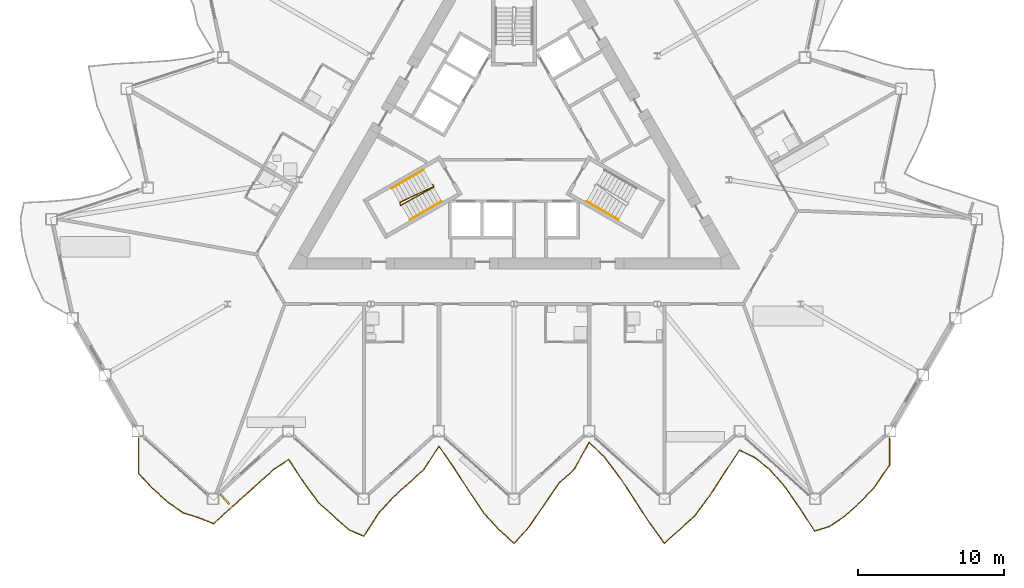
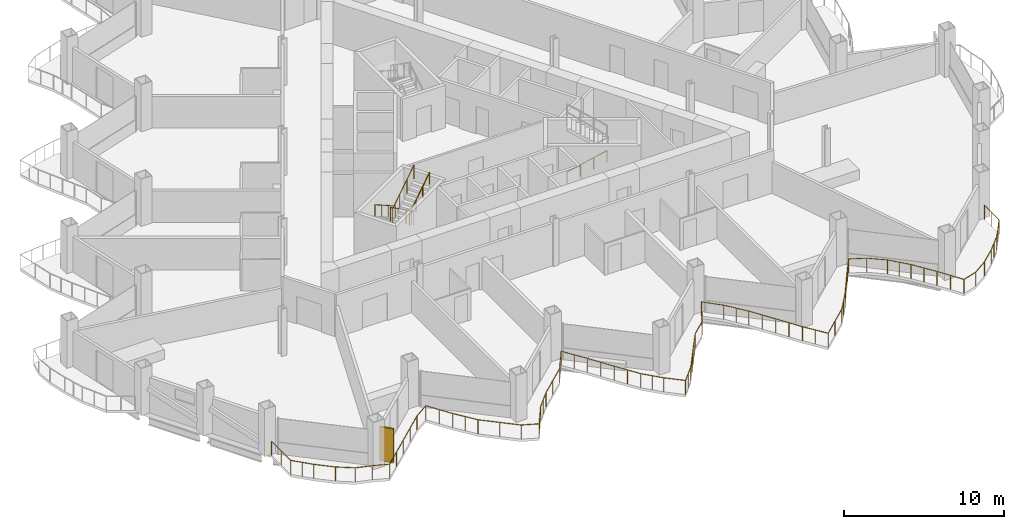
# One storey, part 19 of 23: 5 railings, 1 shading device.
"""IFC4 building model written with IfcOpenShell, lengths in metres."""

import ifcopenshell
import ifcopenshell.guid

model = None  # the IFC model being written
_history = None  # IfcOwnerHistory: only IFC2X3 demands one
_inside = {}  # id of a spatial element -> (the spatial element, [elements in it])
_under = {}  # id of a project, library or spatial element -> (it, [spatial elements below it])
_declared = {}  # id of a project -> (the project, [libraries it declares])
_typed = {}  # id of a type object -> (the type object, [elements of that type])
_made_of = {}  # id of a material, layer set ... -> (it, [elements and type objects made of it])


def new_model(schema):
    """Start an empty IFC model of exactly this schema.

    Asked for "IFC4X3", IfcOpenShell would pick the latest addendum, in which some entities
    have other attributes; the version numbers below select the first issue.
    IFC2X3 requires an IfcOwnerHistory on every rooted entity: one is made here for all.
    """
    global model, _history
    if schema == "IFC4X3":
        model = ifcopenshell.file(schema_version=(4, 3, 0, 0))
    else:
        model = ifcopenshell.file(schema=schema)
    _inside.clear()
    _under.clear()
    _declared.clear()
    _typed.clear()
    _made_of.clear()
    _history = None
    if model.schema == "IFC2X3":
        org = make("IfcOrganization", Name="unknown")
        user = make(
            "IfcPersonAndOrganization",
            ThePerson=make("IfcPerson", FamilyName="unknown"),
            TheOrganization=org,
        )
        app = make(
            "IfcApplication",
            ApplicationDeveloper=org,
            Version="unknown",
            ApplicationFullName="unknown",
            ApplicationIdentifier="unknown",
        )
        _history = make(
            "IfcOwnerHistory",
            OwningUser=user,
            OwningApplication=app,
            ChangeAction="ADDED",
            CreationDate=0,
        )
    return model


def make(cls, **values):
    """One entity of the class cls with the attributes given. An attribute that is None is left unset."""
    return model.create_entity(
        cls, **{name: value for name, value in values.items() if value is not None}
    )


def rooted(cls, **values):
    """An entity with a GlobalId (a new one), such as an element, a storey or a relation."""
    return make(cls, GlobalId=ifcopenshell.guid.new(), OwnerHistory=_history, **values)


def si_unit(unit_type, name, prefix=None):
    """IfcSIUnit, for example si_unit("LENGTHUNIT", "METRE", prefix="MILLI")."""
    return make("IfcSIUnit", UnitType=unit_type, Prefix=prefix, Name=name)


def assignment(units):
    """IfcUnitAssignment: the units of a project."""
    return None if units is None else make("IfcUnitAssignment", Units=units)


def point(xyz):
    """IfcCartesianPoint."""
    return None if xyz is None else make("IfcCartesianPoint", Coordinates=xyz)


def direction(xyz):
    """IfcDirection."""
    return None if xyz is None else make("IfcDirection", DirectionRatios=xyz)


def frame(location, z_axis=None, x_axis=None):
    """IfcAxis2Placement3D, a coordinate frame: its origin and axes. An axis left out is left unset."""
    return make(
        "IfcAxis2Placement3D",
        Location=point(location),
        Axis=direction(z_axis),
        RefDirection=direction(x_axis),
    )


def frame_2d(location, x_axis=None):
    """IfcAxis2Placement2D, a coordinate frame in the plane: its origin and x axis."""
    return make(
        "IfcAxis2Placement2D", Location=point(location), RefDirection=direction(x_axis)
    )


def origin():
    """The frame at (0, 0, 0) with its axes left unset."""
    return frame((0.0, 0.0, 0.0))


def origin_2d():
    """The frame at (0, 0) in the plane with its x axis left unset."""
    return frame_2d((0.0, 0.0))


def place(relative_to, where):
    """IfcLocalPlacement: puts the frame where relative to a parent placement (None: the world)."""
    return make(
        "IfcLocalPlacement", PlacementRelTo=relative_to, RelativePlacement=where
    )


def context(
    kind, dimensions, precision=None, world=None, true_north=None, identifier=None
):
    """IfcGeometricRepresentationContext, for example the 3D "Model" context."""
    return make(
        "IfcGeometricRepresentationContext",
        ContextIdentifier=identifier,
        ContextType=kind,
        CoordinateSpaceDimension=dimensions,
        Precision=precision,
        WorldCoordinateSystem=world,
        TrueNorth=true_north,
    )


def subcontext(parent, identifier, kind, view, scale=None):
    """IfcGeometricRepresentationSubContext, for example "Body" below "Model"."""
    return make(
        "IfcGeometricRepresentationSubContext",
        ContextIdentifier=identifier,
        ContextType=kind,
        ParentContext=parent,
        TargetScale=scale,
        TargetView=view,
    )


def project(units=None, contexts=None):
    """IfcProject with its units and contexts."""
    return rooted(
        "IfcProject",
        Name="project",
        RepresentationContexts=contexts,
        UnitsInContext=assignment(units),
    )


def spatial(cls, under=None, at=None, **own):
    """A site, building, storey or space (cls), placed at a placement, below another one or the project."""
    s = rooted(cls, ObjectPlacement=at, **own)
    if under is not None:
        _under.setdefault(under.id(), (under, []))[1].append(s)
    return s


def profile(cls, at=None, kind="AREA", **sizes):
    """A parametric profile (cls). Its sizes go by their IFC names, for example OverallWidth=200.0."""
    return make(cls, ProfileType=kind, Position=at, **sizes)


def rectangle(**sizes):
    """IfcRectangleProfileDef."""
    return profile("IfcRectangleProfileDef", **sizes)


def circle(**sizes):
    """IfcCircleProfileDef."""
    return profile("IfcCircleProfileDef", **sizes)


def extrude(swept, where, along, depth):
    """IfcExtrudedAreaSolid: the profile swept, set in the frame where, extruded along a direction by depth."""
    return make(
        "IfcExtrudedAreaSolid",
        SweptArea=swept,
        Position=where,
        ExtrudedDirection=direction(along),
        Depth=depth,
    )


def shape(context_of_items, identifier, shape_type, items):
    """IfcShapeRepresentation: the items that make up one representation, for example the "Body"."""
    return make(
        "IfcShapeRepresentation",
        ContextOfItems=context_of_items,
        RepresentationIdentifier=identifier,
        RepresentationType=shape_type,
        Items=items,
    )


def material(Name=None, Category=None):
    """IfcMaterial."""
    return make("IfcMaterial", Name=Name, Category=Category)


def layer(
    of_material, thickness, ventilated=None, Name=None, Category=None, Priority=None
):
    """IfcMaterialLayer: one layer of a wall or slab, of a material (None: an air gap)."""
    return make(
        "IfcMaterialLayer",
        Material=of_material,
        LayerThickness=thickness,
        IsVentilated=ventilated,
        Name=Name,
        Category=Category,
        Priority=Priority,
    )


def layer_set(layers, Name=None):
    """IfcMaterialLayerSet."""
    return make("IfcMaterialLayerSet", MaterialLayers=layers, LayerSetName=Name)


def made_of(thing, what):
    """Note that an element or type object is made of a material, layer set ...; save() writes the relation."""
    if what is not None:
        _made_of.setdefault(what.id(), (what, []))[1].append(thing)
    return thing


def type_object(cls, material=None, **own):
    """A type object (cls), such as IfcWallType, which elements share."""
    return made_of(rooted(cls, **own), material)


def element(
    cls,
    number,
    at=None,
    inside=None,
    cuts=None,
    type_object=None,
    material=None,
    context=None,
    identifier="Body",
    shape_type=None,
    held_by="IfcProductDefinitionShape",
    body=None,
    shapes=None,
    **own,
):
    """One element of the class cls, such as IfcWall. Its Tag is "e" and its number.

    at: its placement. inside: the storey or other place that contains it. cuts: it is an
    opening in that element (IfcRelVoidsElement). A single representation is given by context,
    identifier, shape_type and body (its items); several are given by shapes. held_by: the class
    of the entity that holds the representations. save() writes the other relations.
    """
    e = rooted(cls, Tag="e%d" % number, ObjectPlacement=at, **own)
    if body is not None:
        shapes = [shape(context, identifier, shape_type, body)]
    if shapes is not None:
        e.Representation = make(held_by, Representations=shapes)
    if inside is not None:
        _inside.setdefault(inside.id(), (inside, []))[1].append(e)
    if cuts is not None:
        rooted(
            "IfcRelVoidsElement", RelatingBuildingElement=cuts, RelatedOpeningElement=e
        )
    if type_object is not None:
        _typed.setdefault(type_object.id(), (type_object, []))[1].append(e)
    return made_of(e, material)


def aggregate(whole, parts):
    """IfcRelAggregates: a whole, such as a stair, and the parts it consists of."""
    return rooted("IfcRelAggregates", RelatingObject=whole, RelatedObjects=parts)


def save(model, path):
    """Write the relations noted so far, then the file.

    IfcRelAggregates (storeys below a building ...), IfcRelContainedInSpatialStructure (elements
    in a storey), IfcRelDefinesByType, IfcRelAssociatesMaterial and IfcRelDeclares: one each for
    every whole, place, type object, material and project.
    """
    for whole, parts in _under.values():
        aggregate(whole, parts)
    for where, things in _inside.values():
        rooted(
            "IfcRelContainedInSpatialStructure",
            RelatedElements=things,
            RelatingStructure=where,
        )
    for kind, things in _typed.values():
        rooted("IfcRelDefinesByType", RelatedObjects=things, RelatingType=kind)
    for what, things in _made_of.values():
        rooted("IfcRelAssociatesMaterial", RelatedObjects=things, RelatingMaterial=what)
    for by, libraries in _declared.values():
        rooted("IfcRelDeclares", RelatingContext=by, RelatedDefinitions=libraries)
    model.write(path)


model = new_model("IFC4")

# Units and contexts
model_context = context("Model", 3, precision=1e-05, world=origin(), true_north=direction((0.0, 1.0)))
body_context = subcontext(model_context, "Body", "Model", "MODEL_VIEW")
ifc_project = project(units=[si_unit("LENGTHUNIT", "METRE"), si_unit("AREAUNIT", "SQUARE_METRE"), si_unit("VOLUMEUNIT", "CUBIC_METRE"), si_unit("PLANEANGLEUNIT", "RADIAN"), si_unit("MASSUNIT", "GRAM", prefix="KILO")], contexts=[model_context])

# Site, building, storey
site_placement = place(None, origin())
site = spatial("IfcSite", under=ifc_project, at=site_placement, CompositionType="ELEMENT")
building_placement = place(site_placement, origin())
building = spatial("IfcBuilding", under=site, at=building_placement, Name="Cormorant Prow Tower", CompositionType="ELEMENT")
storey_placement = place(building_placement, frame((0.0, 0.0, 212.39990234375)))
storey = spatial("IfcBuildingStorey", under=building, at=storey_placement, Name="L47", CompositionType="ELEMENT", Elevation=212.39990234375)

# Railings
ifc_material_1 = material(Name="Aluminium 6063-T6", Category="aluminium")
railing_type_1 = type_object("IfcRailingType", Name="Balcony guard 1100", PredefinedType="GUARDRAIL", material=ifc_material_1)
railing_1_placement = place(storey_placement, frame((-25.7783203125, -20.56494140625, 0.0)))
element("IfcRailing", 1, at=railing_1_placement, inside=storey, type_object=railing_type_1, Name="Balcony guard S", PredefinedType="GUARDRAIL", context=body_context, shape_type="SweptSolid", body=[
    extrude(circle(Radius=0.02392578125, at=origin_2d()), frame((0.0, 0.0, 1.076171875), z_axis=(0.0, -1.0, 0.0), x_axis=(1.0, 0.0, 0.0)), (0.0, 0.0, 1.0), 2.40380859375),
    extrude(circle(Radius=0.02392578125, at=origin_2d()), frame((0.0, -2.40380859375, 1.076171875), z_axis=(0.685769725177, -0.727818579064, 0.0), x_axis=(0.727818579064, 0.685769725177, 0.0)), (0.0, 0.0, 1.0), 1.50390625),
    extrude(circle(Radius=0.02392578125, at=origin_2d()), frame((1.03125, -3.498291015625, 1.076171875), z_axis=(0.74317165604, -0.669100806799, 0.0), x_axis=(0.669100806799, 0.74317165604, 0.0)), (0.0, 0.0, 1.0), 1.3876953125),
    extrude(circle(Radius=0.02392578125, at=origin_2d()), frame((2.0625, -4.4267578125, 1.076171875), z_axis=(0.825800981874, -0.563961646158, 0.0), x_axis=(0.563961646158, 0.825800981874, 0.0)), (0.0, 0.0, 1.0), 1.24853515625),
    extrude(circle(Radius=0.02392578125, at=origin_2d()), frame((3.093505859375, -5.130859375, 1.076171875), z_axis=(0.954395491604, -0.298545215347, 0.0), x_axis=(0.298545215347, 0.954395491604, 0.0)), (0.0, 0.0, 1.0), 1.080322265625),
    extrude(circle(Radius=0.02392578125, at=origin_2d()), frame((4.12451171875, -5.453369140625, 1.076171875), z_axis=(0.929655900178, -0.368428971804, 0.0), x_axis=(0.368428971804, 0.929655900178, 0.0)), (0.0, 0.0, 1.0), 1.109375),
    extrude(circle(Radius=0.02392578125, at=origin_2d()), frame((5.15576171875, -5.862060546875, 1.076171875), z_axis=(0.74317165604, 0.669100806799, 0.0), x_axis=(-0.669100806799, 0.74317165604, 0.0)), (0.0, 0.0, 1.0), 1.3876953125),
    extrude(circle(Radius=0.02392578125, at=origin_2d()), frame((6.18701171875, -4.93359375, 1.076171875), z_axis=(0.743180377895, 0.669091119289, 0.0), x_axis=(-0.669091119289, 0.743180377895, 0.0)), (0.0, 0.0, 1.0), 1.38720703125),
    extrude(circle(Radius=0.02392578125, at=origin_2d()), frame((7.218017578125, -4.00537109375, 1.076171875), z_axis=(0.743092872858, 0.669188301084, 0.0), x_axis=(-0.669188301084, 0.743092872858, 0.0)), (0.0, 0.0, 1.0), 1.387451171875),
    extrude(circle(Radius=0.02392578125, at=origin_2d()), frame((8.2490234375, -3.076904296875, 1.076171875), z_axis=(0.74317165604, 0.669100806799, 0.0), x_axis=(-0.669100806799, 0.74317165604, 0.0)), (0.0, 0.0, 1.0), 1.3876953125),
    extrude(circle(Radius=0.02392578125, at=origin_2d()), frame((9.2802734375, -2.1484375, 1.076171875), z_axis=(0.831231964357, 0.555925733738, 0.0), x_axis=(-0.555925733738, 0.831231964357, 0.0)), (0.0, 0.0, 1.0), 1.24072265625),
    extrude(circle(Radius=0.02392578125, at=origin_2d()), frame((10.3115234375, -1.458740234375, 1.076171875), z_axis=(0.545396842067, -0.838177955248, 0.0), x_axis=(0.838177955248, 0.545396842067, 0.0)), (0.0, 0.0, 1.0), 1.890380859375),
    extrude(circle(Radius=0.02392578125, at=origin_2d()), frame((11.342529296875, -3.043212890625, 1.076171875), z_axis=(0.597620452194, -0.801779143604, 0.0), x_axis=(0.801779143604, 0.597620452194, 0.0)), (0.0, 0.0, 1.0), 1.7255859375),
    extrude(circle(Radius=0.02392578125, at=origin_2d()), frame((12.373779296875, -4.4267578125, 1.076171875), z_axis=(0.743092872858, -0.669188301084, 0.0), x_axis=(0.669188301084, 0.743092872858, 0.0)), (0.0, 0.0, 1.0), 1.387451171875),
    extrude(circle(Radius=0.02392578125, at=origin_2d()), frame((13.40478515625, -5.355224609375, 1.076171875), z_axis=(0.74317165604, -0.669100806799, 0.0), x_axis=(0.669100806799, 0.74317165604, 0.0)), (0.0, 0.0, 1.0), 1.3876953125),
    extrude(circle(Radius=0.02392578125, at=origin_2d()), frame((14.43603515625, -6.28369140625, 1.076171875), z_axis=(0.919684859289, -0.392657305541, 0.0), x_axis=(0.392657305541, 0.919684859289, 0.0)), (0.0, 0.0, 1.0), 1.12109375),
    extrude(circle(Radius=0.02392578125, at=origin_2d()), frame((15.467041015625, -6.723876953125, 1.076171875), z_axis=(0.544544202521, 0.838732145265, 0.0), x_axis=(-0.838732145265, 0.544544202521, 0.0)), (0.0, 0.0, 1.0), 1.893798828125),
    extrude(circle(Radius=0.02392578125, at=origin_2d()), frame((16.498291015625, -5.135498046875, 1.076171875), z_axis=(0.673966571856, 0.738761842558, 0.0), x_axis=(-0.738761842558, 0.673966571856, 0.0)), (0.0, 0.0, 1.0), 1.52978515625),
    extrude(circle(Radius=0.02392578125, at=origin_2d()), frame((17.529296875, -4.00537109375, 1.076171875), z_axis=(0.743092872858, 0.669188301084, 0.0), x_axis=(-0.669188301084, 0.743092872858, 0.0)), (0.0, 0.0, 1.0), 1.387451171875),
    extrude(circle(Radius=0.02392578125, at=origin_2d()), frame((18.560302734375, -3.076904296875, 1.076171875), z_axis=(0.74317165604, 0.669100806799, 0.0), x_axis=(-0.669100806799, 0.74317165604, 0.0)), (0.0, 0.0, 1.0), 1.3876953125),
    extrude(circle(Radius=0.02392578125, at=origin_2d()), frame((19.591552734375, -2.1484375, 1.076171875), z_axis=(0.543016722299, 0.839721882116, 0.0), x_axis=(-0.839721882116, 0.543016722299, 0.0)), (0.0, 0.0, 1.0), 1.899169921875),
    extrude(circle(Radius=0.02392578125, at=origin_2d()), frame((20.622802734375, -0.5537109375, 1.076171875), z_axis=(0.57173467359, -0.820438579672, 0.0), x_axis=(0.820438579672, 0.57173467359, 0.0)), (0.0, 0.0, 1.0), 1.80322265625),
    extrude(circle(Radius=0.02392578125, at=origin_2d()), frame((21.65380859375, -2.033203125, 1.076171875), z_axis=(0.541755718017, -0.84053598495, 0.0), x_axis=(0.84053598495, 0.541755718017, 0.0)), (0.0, 0.0, 1.0), 1.903076171875),
    extrude(circle(Radius=0.02392578125, at=origin_2d()), frame((22.684814453125, -3.6328125, 1.076171875), z_axis=(0.560012386904, -0.828484234319, 0.0), x_axis=(0.828484234319, 0.560012386904, 0.0)), (0.0, 0.0, 1.0), 1.841552734375),
    extrude(circle(Radius=0.02392578125, at=origin_2d()), frame((23.716064453125, -5.158447265625, 1.076171875), z_axis=(0.675644949458, -0.737227171414, 0.0), x_axis=(0.737227171414, 0.675644949458, 0.0)), (0.0, 0.0, 1.0), 1.5263671875),
    extrude(circle(Radius=0.02392578125, at=origin_2d()), frame((24.747314453125, -6.28369140625, 1.076171875), z_axis=(0.743092872858, -0.669188301084, 0.0), x_axis=(0.669188301084, 0.743092872858, 0.0)), (0.0, 0.0, 1.0), 1.387451171875),
    extrude(circle(Radius=0.02392578125, at=origin_2d()), frame((25.7783203125, -7.212158203125, 1.076171875), z_axis=(0.676914144191, 0.736061982033, 0.0), x_axis=(-0.736061982033, 0.676914144191, 0.0)), (0.0, 0.0, 1.0), 1.523193359375),
    extrude(circle(Radius=0.02392578125, at=origin_2d()), frame((26.809326171875, -6.091064453125, 1.076171875), z_axis=(0.560381643012, 0.828234516412, 0.0), x_axis=(-0.828234516412, 0.560381643012, 0.0)), (0.0, 0.0, 1.0), 1.84033203125),
    extrude(circle(Radius=0.02392578125, at=origin_2d()), frame((27.840576171875, -4.56689453125, 1.076171875), z_axis=(0.56910488379, 0.822264939813, 0.0), x_axis=(-0.822264939813, 0.56910488379, 0.0)), (0.0, 0.0, 1.0), 1.81201171875),
    extrude(circle(Radius=0.02392578125, at=origin_2d()), frame((28.871826171875, -3.076904296875, 1.076171875), z_axis=(0.743092872858, 0.669188301084, 0.0), x_axis=(-0.669188301084, 0.743092872858, 0.0)), (0.0, 0.0, 1.0), 1.387451171875),
    extrude(circle(Radius=0.02392578125, at=origin_2d()), frame((29.90283203125, -2.1484375, 1.076171875), z_axis=(0.483813132269, 0.875171327824, 0.0), x_axis=(-0.875171327824, 0.483813132269, 0.0)), (0.0, 0.0, 1.0), 2.131103515625),
    extrude(circle(Radius=0.02392578125, at=origin_2d()), frame((30.933837890625, -0.283447265625, 1.076171875), z_axis=(0.713580860804, -0.700572876362, 0.0), x_axis=(0.700572876362, 0.713580860804, 0.0)), (0.0, 0.0, 1.0), 1.445068359375),
    extrude(circle(Radius=0.02392578125, at=origin_2d()), frame((31.965087890625, -1.2958984375, 1.076171875), z_axis=(0.608053713766, -0.793895888121, 0.0), x_axis=(0.793895888121, 0.608053713766, 0.0)), (0.0, 0.0, 1.0), 1.696044921875),
    extrude(circle(Radius=0.02392578125, at=origin_2d()), frame((32.996337890625, -2.642333984375, 1.076171875), z_axis=(0.551591691077, -0.834114264555, 0.0), x_axis=(0.834114264555, 0.551591691077, 0.0)), (0.0, 0.0, 1.0), 1.869140625),
    extrude(circle(Radius=0.02392578125, at=origin_2d()), frame((34.02734375, -4.201416015625, 1.076171875), z_axis=(0.544276914444, -0.838905620677, 0.0), x_axis=(0.838905620677, 0.544276914444, 0.0)), (0.0, 0.0, 1.0), 1.894287109375),
    extrude(circle(Radius=0.02392578125, at=origin_2d()), frame((35.058349609375, -5.79052734375, 1.076171875), z_axis=(0.587179398241, -0.809456826694, 0.0), x_axis=(0.809456826694, 0.587179398241, 0.0)), (0.0, 0.0, 1.0), 1.75634765625),
    extrude(circle(Radius=0.02392578125, at=origin_2d()), frame((36.089599609375, -7.212158203125, 1.076171875), z_axis=(0.743092872858, 0.669188301084, 0.0), x_axis=(-0.669188301084, 0.743092872858, 0.0)), (0.0, 0.0, 1.0), 1.387451171875),
    extrude(circle(Radius=0.02392578125, at=origin_2d()), frame((37.12060546875, -6.28369140625, 1.076171875), z_axis=(0.74317165604, 0.669100806799, 0.0), x_axis=(-0.669100806799, 0.74317165604, 0.0)), (0.0, 0.0, 1.0), 1.3876953125),
    extrude(circle(Radius=0.02392578125, at=origin_2d()), frame((38.15185546875, -5.355224609375, 1.076171875), z_axis=(0.598887585668, 0.800833103544, 0.0), x_axis=(-0.800833103544, 0.598887585668, 0.0)), (0.0, 0.0, 1.0), 1.721435546875),
    extrude(circle(Radius=0.02392578125, at=origin_2d()), frame((39.182861328125, -3.9765625, 1.076171875), z_axis=(0.545664732632, 0.838003579683, 0.0), x_axis=(-0.838003579683, 0.545664732632, 0.0)), (0.0, 0.0, 1.0), 1.889892578125),
    extrude(circle(Radius=0.02392578125, at=origin_2d()), frame((40.214111328125, -2.392822265625, 1.076171875), z_axis=(0.54949461473, 0.835497258154, 0.0), x_axis=(-0.835497258154, 0.54949461473, 0.0)), (0.0, 0.0, 1.0), 1.876220703125),
    extrude(circle(Radius=0.02392578125, at=origin_2d()), frame((41.2451171875, -0.8251953125, 1.076171875), z_axis=(0.90306196208, -0.429510293991, 0.0), x_axis=(0.429510293991, 0.90306196208, 0.0)), (0.0, 0.0, 1.0), 1.141845703125),
    extrude(circle(Radius=0.02392578125, at=origin_2d()), frame((42.2763671875, -1.315673828125, 1.076171875), z_axis=(0.783233005969, -0.621728283384, 0.0), x_axis=(0.621728283384, 0.783233005969, 0.0)), (0.0, 0.0, 1.0), 1.316650390625),
    extrude(circle(Radius=0.02392578125, at=origin_2d()), frame((43.3076171875, -2.13427734375, 1.076171875), z_axis=(0.658526687319, -0.752557374616, 0.0), x_axis=(0.752557374616, 0.658526687319, 0.0)), (0.0, 0.0, 1.0), 1.565673828125),
    extrude(circle(Radius=0.02392578125, at=origin_2d()), frame((44.338623046875, -3.3125, 1.076171875), z_axis=(0.575243690146, -0.817982088403, 0.0), x_axis=(0.817982088403, 0.575243690146, 0.0)), (0.0, 0.0, 1.0), 1.792236328125),
    extrude(circle(Radius=0.02392578125, at=origin_2d()), frame((45.36962890625, -4.778564453125, 1.076171875), z_axis=(0.542314015265, -0.84017587971, 0.0), x_axis=(0.84017587971, 0.542314015265, 0.0)), (0.0, 0.0, 1.0), 1.901611328125),
    extrude(circle(Radius=0.02392578125, at=origin_2d()), frame((46.40087890625, -6.376220703125, 1.076171875), z_axis=(0.954801190555, 0.297245162306, 0.0), x_axis=(-0.297245162306, 0.954801190555, 0.0)), (0.0, 0.0, 1.0), 1.080078125),
    extrude(circle(Radius=0.02392578125, at=origin_2d()), frame((47.43212890625, -6.05517578125, 1.076171875), z_axis=(0.827348964649, 0.56168825045, 0.0), x_axis=(-0.56168825045, 0.827348964649, 0.0)), (0.0, 0.0, 1.0), 1.24609375),
    extrude(circle(Radius=0.02392578125, at=origin_2d()), frame((48.463134765625, -5.355224609375, 1.076171875), z_axis=(0.743092872858, 0.669188301084, 0.0), x_axis=(-0.669188301084, 0.743092872858, 0.0)), (0.0, 0.0, 1.0), 1.387451171875),
    extrude(circle(Radius=0.02392578125, at=origin_2d()), frame((49.494140625, -4.4267578125, 1.076171875), z_axis=(0.687067596605, 0.726593502376, 0.0), x_axis=(-0.726593502376, 0.687067596605, 0.0)), (0.0, 0.0, 1.0), 1.5009765625),
    extrude(circle(Radius=0.02392578125, at=origin_2d()), frame((50.525390625, -3.336181640625, 1.076171875), z_axis=(0.563225107883, 0.826303502262, 0.0), x_axis=(-0.826303502262, 0.563225107883, 0.0)), (0.0, 0.0, 1.0), 1.8310546875),
    extrude(circle(Radius=0.02392578125, at=origin_2d()), frame((51.556640625, -1.8232421875, 1.076171875), z_axis=(0.0, 1.0, 0.0), x_axis=(-1.0, 0.0, 0.0)), (0.0, 0.0, 1.0), 1.8232421875),
    extrude(circle(Radius=0.02099609375, at=origin_2d()), origin(), (0.0, 0.0, 1.0), 1.052001953125),
    extrude(circle(Radius=0.02099609375, at=origin_2d()), frame((0.0, -1.201904296875, 0.0)), (0.0, 0.0, 1.0), 1.052001953125),
    extrude(circle(Radius=0.02099609375, at=origin_2d()), frame((0.0, -2.40380859375, 0.0)), (0.0, 0.0, 1.0), 1.052001953125),
    extrude(circle(Radius=0.02099609375, at=origin_2d()), frame((0.515625, -2.951171875, 0.0)), (0.0, 0.0, 1.0), 1.052001953125),
    extrude(circle(Radius=0.02099609375, at=origin_2d()), frame((1.03125, -3.498291015625, 0.0)), (0.0, 0.0, 1.0), 1.052001953125),
    extrude(circle(Radius=0.02099609375, at=origin_2d()), frame((2.0625, -4.4267578125, 0.0)), (0.0, 0.0, 1.0), 1.052001953125),
    extrude(circle(Radius=0.02099609375, at=origin_2d()), frame((3.093505859375, -5.130859375, 0.0)), (0.0, 0.0, 1.0), 1.052001953125),
    extrude(circle(Radius=0.02099609375, at=origin_2d()), frame((4.12451171875, -5.453369140625, 0.0)), (0.0, 0.0, 1.0), 1.052001953125),
    extrude(circle(Radius=0.02099609375, at=origin_2d()), frame((5.15576171875, -5.862060546875, 0.0)), (0.0, 0.0, 1.0), 1.052001953125),
    extrude(circle(Radius=0.02099609375, at=origin_2d()), frame((6.18701171875, -4.93359375, 0.0)), (0.0, 0.0, 1.0), 1.052001953125),
    extrude(circle(Radius=0.02099609375, at=origin_2d()), frame((7.218017578125, -4.00537109375, 0.0)), (0.0, 0.0, 1.0), 1.052001953125),
    extrude(circle(Radius=0.02099609375, at=origin_2d()), frame((8.2490234375, -3.076904296875, 0.0)), (0.0, 0.0, 1.0), 1.052001953125),
    extrude(circle(Radius=0.02099609375, at=origin_2d()), frame((9.2802734375, -2.1484375, 0.0)), (0.0, 0.0, 1.0), 1.052001953125),
    extrude(circle(Radius=0.02099609375, at=origin_2d()), frame((10.3115234375, -1.458740234375, 0.0)), (0.0, 0.0, 1.0), 1.052001953125),
    extrude(circle(Radius=0.02099609375, at=origin_2d()), frame((10.8271484375, -2.2509765625, 0.0)), (0.0, 0.0, 1.0), 1.052001953125),
    extrude(circle(Radius=0.02099609375, at=origin_2d()), frame((11.342529296875, -3.043212890625, 0.0)), (0.0, 0.0, 1.0), 1.052001953125),
    extrude(circle(Radius=0.02099609375, at=origin_2d()), frame((11.858154296875, -3.73486328125, 0.0)), (0.0, 0.0, 1.0), 1.052001953125),
    extrude(circle(Radius=0.02099609375, at=origin_2d()), frame((12.373779296875, -4.4267578125, 0.0)), (0.0, 0.0, 1.0), 1.052001953125),
    extrude(circle(Radius=0.02099609375, at=origin_2d()), frame((13.40478515625, -5.355224609375, 0.0)), (0.0, 0.0, 1.0), 1.052001953125),
    extrude(circle(Radius=0.02099609375, at=origin_2d()), frame((14.43603515625, -6.28369140625, 0.0)), (0.0, 0.0, 1.0), 1.052001953125),
    extrude(circle(Radius=0.02099609375, at=origin_2d()), frame((15.467041015625, -6.723876953125, 0.0)), (0.0, 0.0, 1.0), 1.052001953125),
    extrude(circle(Radius=0.02099609375, at=origin_2d()), frame((15.982666015625, -5.9296875, 0.0)), (0.0, 0.0, 1.0), 1.052001953125),
    extrude(circle(Radius=0.02099609375, at=origin_2d()), frame((16.498291015625, -5.135498046875, 0.0)), (0.0, 0.0, 1.0), 1.052001953125),
    extrude(circle(Radius=0.02099609375, at=origin_2d()), frame((17.013671875, -4.5703125, 0.0)), (0.0, 0.0, 1.0), 1.052001953125),
    extrude(circle(Radius=0.02099609375, at=origin_2d()), frame((17.529296875, -4.00537109375, 0.0)), (0.0, 0.0, 1.0), 1.052001953125),
    extrude(circle(Radius=0.02099609375, at=origin_2d()), frame((18.560302734375, -3.076904296875, 0.0)), (0.0, 0.0, 1.0), 1.052001953125),
    extrude(circle(Radius=0.02099609375, at=origin_2d()), frame((19.591552734375, -2.1484375, 0.0)), (0.0, 0.0, 1.0), 1.052001953125),
    extrude(circle(Radius=0.02099609375, at=origin_2d()), frame((20.107177734375, -1.35107421875, 0.0)), (0.0, 0.0, 1.0), 1.052001953125),
    extrude(circle(Radius=0.02099609375, at=origin_2d()), frame((20.622802734375, -0.5537109375, 0.0)), (0.0, 0.0, 1.0), 1.052001953125),
    extrude(circle(Radius=0.02099609375, at=origin_2d()), frame((21.13818359375, -1.29345703125, 0.0)), (0.0, 0.0, 1.0), 1.052001953125),
    extrude(circle(Radius=0.02099609375, at=origin_2d()), frame((21.65380859375, -2.033203125, 0.0)), (0.0, 0.0, 1.0), 1.052001953125),
    extrude(circle(Radius=0.02099609375, at=origin_2d()), frame((22.16943359375, -2.8330078125, 0.0)), (0.0, 0.0, 1.0), 1.052001953125),
    extrude(circle(Radius=0.02099609375, at=origin_2d()), frame((22.684814453125, -3.6328125, 0.0)), (0.0, 0.0, 1.0), 1.052001953125),
    extrude(circle(Radius=0.02099609375, at=origin_2d()), frame((23.200439453125, -4.3955078125, 0.0)), (0.0, 0.0, 1.0), 1.052001953125),
    extrude(circle(Radius=0.02099609375, at=origin_2d()), frame((23.716064453125, -5.158447265625, 0.0)), (0.0, 0.0, 1.0), 1.052001953125),
    extrude(circle(Radius=0.02099609375, at=origin_2d()), frame((24.231689453125, -5.72119140625, 0.0)), (0.0, 0.0, 1.0), 1.052001953125),
    extrude(circle(Radius=0.02099609375, at=origin_2d()), frame((24.747314453125, -6.28369140625, 0.0)), (0.0, 0.0, 1.0), 1.052001953125),
    extrude(circle(Radius=0.02099609375, at=origin_2d()), frame((25.7783203125, -7.212158203125, 0.0)), (0.0, 0.0, 1.0), 1.052001953125),
    extrude(circle(Radius=0.02099609375, at=origin_2d()), frame((26.2939453125, -6.651611328125, 0.0)), (0.0, 0.0, 1.0), 1.052001953125),
    extrude(circle(Radius=0.02099609375, at=origin_2d()), frame((26.809326171875, -6.091064453125, 0.0)), (0.0, 0.0, 1.0), 1.052001953125),
    extrude(circle(Radius=0.02099609375, at=origin_2d()), frame((27.324951171875, -5.3291015625, 0.0)), (0.0, 0.0, 1.0), 1.052001953125),
    extrude(circle(Radius=0.02099609375, at=origin_2d()), frame((27.840576171875, -4.56689453125, 0.0)), (0.0, 0.0, 1.0), 1.052001953125),
    extrude(circle(Radius=0.02099609375, at=origin_2d()), frame((28.356201171875, -3.82177734375, 0.0)), (0.0, 0.0, 1.0), 1.052001953125),
    extrude(circle(Radius=0.02099609375, at=origin_2d()), frame((28.871826171875, -3.076904296875, 0.0)), (0.0, 0.0, 1.0), 1.052001953125),
    extrude(circle(Radius=0.02099609375, at=origin_2d()), frame((29.90283203125, -2.1484375, 0.0)), (0.0, 0.0, 1.0), 1.052001953125),
    extrude(circle(Radius=0.02099609375, at=origin_2d()), frame((30.41845703125, -1.2158203125, 0.0)), (0.0, 0.0, 1.0), 1.052001953125),
    extrude(circle(Radius=0.02099609375, at=origin_2d()), frame((30.933837890625, -0.283447265625, 0.0)), (0.0, 0.0, 1.0), 1.052001953125),
    extrude(circle(Radius=0.02099609375, at=origin_2d()), frame((31.965087890625, -1.2958984375, 0.0)), (0.0, 0.0, 1.0), 1.052001953125),
    extrude(circle(Radius=0.02099609375, at=origin_2d()), frame((32.480712890625, -1.96923828125, 0.0)), (0.0, 0.0, 1.0), 1.052001953125),
    extrude(circle(Radius=0.02099609375, at=origin_2d()), frame((32.996337890625, -2.642333984375, 0.0)), (0.0, 0.0, 1.0), 1.052001953125),
    extrude(circle(Radius=0.02099609375, at=origin_2d()), frame((33.51171875, -3.421875, 0.0)), (0.0, 0.0, 1.0), 1.052001953125),
    extrude(circle(Radius=0.02099609375, at=origin_2d()), frame((34.02734375, -4.201416015625, 0.0)), (0.0, 0.0, 1.0), 1.052001953125),
    extrude(circle(Radius=0.02099609375, at=origin_2d()), frame((34.54296875, -4.99609375, 0.0)), (0.0, 0.0, 1.0), 1.052001953125),
    extrude(circle(Radius=0.02099609375, at=origin_2d()), frame((35.058349609375, -5.79052734375, 0.0)), (0.0, 0.0, 1.0), 1.052001953125),
    extrude(circle(Radius=0.02099609375, at=origin_2d()), frame((35.573974609375, -6.50146484375, 0.0)), (0.0, 0.0, 1.0), 1.052001953125),
    extrude(circle(Radius=0.02099609375, at=origin_2d()), frame((36.089599609375, -7.212158203125, 0.0)), (0.0, 0.0, 1.0), 1.052001953125),
    extrude(circle(Radius=0.02099609375, at=origin_2d()), frame((37.12060546875, -6.28369140625, 0.0)), (0.0, 0.0, 1.0), 1.052001953125),
    extrude(circle(Radius=0.02099609375, at=origin_2d()), frame((38.15185546875, -5.355224609375, 0.0)), (0.0, 0.0, 1.0), 1.052001953125),
    extrude(circle(Radius=0.02099609375, at=origin_2d()), frame((38.66748046875, -4.666015625, 0.0)), (0.0, 0.0, 1.0), 1.052001953125),
    extrude(circle(Radius=0.02099609375, at=origin_2d()), frame((39.182861328125, -3.9765625, 0.0)), (0.0, 0.0, 1.0), 1.052001953125),
    extrude(circle(Radius=0.02099609375, at=origin_2d()), frame((39.698486328125, -3.1845703125, 0.0)), (0.0, 0.0, 1.0), 1.052001953125),
    extrude(circle(Radius=0.02099609375, at=origin_2d()), frame((40.214111328125, -2.392822265625, 0.0)), (0.0, 0.0, 1.0), 1.052001953125),
    extrude(circle(Radius=0.02099609375, at=origin_2d()), frame((40.7294921875, -1.60888671875, 0.0)), (0.0, 0.0, 1.0), 1.052001953125),
    extrude(circle(Radius=0.02099609375, at=origin_2d()), frame((41.2451171875, -0.8251953125, 0.0)), (0.0, 0.0, 1.0), 1.052001953125),
    extrude(circle(Radius=0.02099609375, at=origin_2d()), frame((42.2763671875, -1.315673828125, 0.0)), (0.0, 0.0, 1.0), 1.052001953125),
    extrude(circle(Radius=0.02099609375, at=origin_2d()), frame((43.3076171875, -2.13427734375, 0.0)), (0.0, 0.0, 1.0), 1.052001953125),
    extrude(circle(Radius=0.02099609375, at=origin_2d()), frame((43.8232421875, -2.723388671875, 0.0)), (0.0, 0.0, 1.0), 1.052001953125),
    extrude(circle(Radius=0.02099609375, at=origin_2d()), frame((44.338623046875, -3.3125, 0.0)), (0.0, 0.0, 1.0), 1.052001953125),
    extrude(circle(Radius=0.02099609375, at=origin_2d()), frame((44.85400390625, -4.04541015625, 0.0)), (0.0, 0.0, 1.0), 1.052001953125),
    extrude(circle(Radius=0.02099609375, at=origin_2d()), frame((45.36962890625, -4.778564453125, 0.0)), (0.0, 0.0, 1.0), 1.052001953125),
    extrude(circle(Radius=0.02099609375, at=origin_2d()), frame((45.88525390625, -5.577392578125, 0.0)), (0.0, 0.0, 1.0), 1.052001953125),
    extrude(circle(Radius=0.02099609375, at=origin_2d()), frame((46.40087890625, -6.376220703125, 0.0)), (0.0, 0.0, 1.0), 1.052001953125),
    extrude(circle(Radius=0.02099609375, at=origin_2d()), frame((47.43212890625, -6.05517578125, 0.0)), (0.0, 0.0, 1.0), 1.052001953125),
    extrude(circle(Radius=0.02099609375, at=origin_2d()), frame((48.463134765625, -5.355224609375, 0.0)), (0.0, 0.0, 1.0), 1.052001953125),
    extrude(circle(Radius=0.02099609375, at=origin_2d()), frame((49.494140625, -4.4267578125, 0.0)), (0.0, 0.0, 1.0), 1.052001953125),
    extrude(circle(Radius=0.02099609375, at=origin_2d()), frame((50.009765625, -3.88134765625, 0.0)), (0.0, 0.0, 1.0), 1.052001953125),
    extrude(circle(Radius=0.02099609375, at=origin_2d()), frame((50.525390625, -3.336181640625, 0.0)), (0.0, 0.0, 1.0), 1.052001953125),
    extrude(circle(Radius=0.02099609375, at=origin_2d()), frame((51.041015625, -2.57958984375, 0.0)), (0.0, 0.0, 1.0), 1.052001953125),
    extrude(circle(Radius=0.02099609375, at=origin_2d()), frame((51.556640625, -1.8232421875, 0.0)), (0.0, 0.0, 1.0), 1.052001953125),
    extrude(circle(Radius=0.02099609375, at=origin_2d()), frame((51.556640625, -0.91162109375, 0.0)), (0.0, 0.0, 1.0), 1.052001953125),
    extrude(circle(Radius=0.02099609375, at=origin_2d()), frame((51.556640625, 0.0, 0.0)), (0.0, 0.0, 1.0), 1.052001953125),
])
ifc_material_2 = material(Name="Stainless steel", Category="steel")
railing_type_2 = type_object("IfcRailingType", Name="Stair guard 1100", PredefinedType="GUARDRAIL", material=ifc_material_2)
railing_2_placement = place(storey_placement, frame((-5.585205078125, -3.137939453125, 0.0)))
element("IfcRailing", 2, at=railing_2_placement, inside=storey, type_object=railing_type_2, Name="L47 ST1 stair guard 1", PredefinedType="GUARDRAIL", context=body_context, shape_type="SweptSolid", body=[
    extrude(circle(Radius=0.02392578125, at=origin_2d()), frame((0.0, 0.0, 1.076171875), z_axis=(0.501036270542, -0.865426285481, 0.0), x_axis=(0.865426285481, 0.501036270542, 0.0)), (0.0, 0.0, 1.0), 0.150146484375),
    extrude(circle(Radius=0.02392578125, at=origin_2d()), frame((0.0751953125, -0.1298828125, 1.076171875), z_axis=(-0.739707038506, -0.353624380995, 0.572523619033), x_axis=(0.431308035802, -0.902204731895, 0.0)), (0.0, 0.0, 1.0), 3.14404296875),
    extrude(circle(Radius=0.02392578125, at=origin_2d()), frame((-2.25048828125, -1.24169921875, 2.8759765625), z_axis=(0.274721127897, -0.961523947641, 0.0), x_axis=(0.961523947641, 0.274721127897, 0.0)), (0.0, 0.0, 1.0), 0.2060546875),
    extrude(circle(Radius=0.02392578125, at=origin_2d()), frame((-2.19384765625, -1.43994140625, 2.8759765625), z_axis=(0.717223475266, 0.39568267656, 0.573607623727), x_axis=(-0.483052234887, 0.87559153626, 0.0)), (0.0, 0.0, 1.0), 3.13818359375),
    extrude(circle(Radius=0.02099609375, at=origin_2d()), origin(), (0.0, 0.0, 1.0), 1.052001953125),
    extrude(circle(Radius=0.02099609375, at=origin_2d()), frame((0.0751953125, -0.1298828125, 0.0)), (0.0, 0.0, 1.0), 1.052001953125),
    extrude(circle(Radius=0.02099609375, at=origin_2d()), frame((-0.699951171875, -0.50048828125, 0.60009765625)), (0.0, 0.0, 1.0), 1.052001953125),
    extrude(circle(Radius=0.02099609375, at=origin_2d()), frame((-1.475341796875, -0.87109375, 1.199951171875)), (0.0, 0.0, 1.0), 1.052001953125),
    extrude(circle(Radius=0.02099609375, at=origin_2d()), frame((-2.25048828125, -1.24169921875, 1.800048828125)), (0.0, 0.0, 1.0), 1.052001953125),
    extrude(circle(Radius=0.02099609375, at=origin_2d()), frame((-2.19384765625, -1.43994140625, 1.800048828125)), (0.0, 0.0, 1.0), 1.052001953125),
    extrude(circle(Radius=0.02099609375, at=origin_2d()), frame((-1.443603515625, -1.026123046875, 2.400146484375)), (0.0, 0.0, 1.0), 1.052001953125),
    extrude(circle(Radius=0.02099609375, at=origin_2d()), frame((-0.693359375, -0.612060546875, 3.0)), (0.0, 0.0, 1.0), 1.052001953125),
    extrude(circle(Radius=0.02099609375, at=origin_2d()), frame((0.056884765625, -0.1982421875, 3.60009765625)), (0.0, 0.0, 1.0), 1.052001953125),
])
ifc_material_3 = material(Name="Stainless steel", Category="steel")
railing_type_3 = type_object("IfcRailingType", Name="Stair handrail 900", PredefinedType="HANDRAIL", material=ifc_material_3)
railing_3_placement = place(storey_placement, frame((-6.212890625, -2.150634765625, 0.18017578125)))
element("IfcRailing", 3, at=railing_3_placement, inside=storey, type_object=railing_type_3, Name="L47 ST1 stair handrail 1", PredefinedType="HANDRAIL", context=body_context, shape_type="SweptSolid", body=[
    extrude(circle(Radius=0.02392578125, at=origin_2d()), frame((0.0, 0.0, 0.8759765625), z_axis=(-0.72849590497, -0.42060268101, 0.54072830624), x_axis=(0.500004791531, -0.866022637375, 0.0)), (0.0, 0.0, 1.0), 2.99560546875),
    extrude(circle(Radius=0.02099609375, at=origin_2d()), origin(), (0.0, 0.0, 1.0), 0.851806640625),
    extrude(circle(Radius=0.02099609375, at=origin_2d()), frame((-0.7275390625, -0.419921875, 0.5400390625)), (0.0, 0.0, 1.0), 0.851806640625),
    extrude(circle(Radius=0.02099609375, at=origin_2d()), frame((-1.454833984375, -0.840087890625, 1.079833984375)), (0.0, 0.0, 1.0), 0.851806640625),
    extrude(circle(Radius=0.02099609375, at=origin_2d()), frame((-2.182373046875, -1.260009765625, 1.619873046875)), (0.0, 0.0, 1.0), 0.851806640625),
])
railing_4_placement = place(storey_placement, frame((-7.1513671875, -5.565185546875, 1.97998046875)))
element("IfcRailing", 4, at=railing_4_placement, inside=storey, type_object=railing_type_3, Name="L47 ST1 stair handrail 2", PredefinedType="HANDRAIL", context=body_context, shape_type="SweptSolid", body=[
    extrude(circle(Radius=0.02392578125, at=origin_2d()), frame((0.0, 0.0, 0.8759765625), z_axis=(0.728463801763, 0.420584145978, 0.540785970299), x_axis=(-0.500004791531, 0.866022637375, 0.0)), (0.0, 0.0, 1.0), 2.995849609375),
    extrude(circle(Radius=0.02099609375, at=origin_2d()), origin(), (0.0, 0.0, 1.0), 0.851806640625),
    extrude(circle(Radius=0.02099609375, at=origin_2d()), frame((0.7275390625, 0.419921875, 0.5400390625)), (0.0, 0.0, 1.0), 0.851806640625),
    extrude(circle(Radius=0.02099609375, at=origin_2d()), frame((1.454833984375, 0.840087890625, 1.080078125)), (0.0, 0.0, 1.0), 0.851806640625),
    extrude(circle(Radius=0.02099609375, at=origin_2d()), frame((2.182373046875, 1.260009765625, 1.6201171875)), (0.0, 0.0, 1.0), 0.851806640625),
])
railing_5_placement = place(storey_placement, frame((4.968994140625, -4.30517578125, 0.18017578125)))
element("IfcRailing", 5, at=railing_5_placement, inside=storey, type_object=railing_type_3, Name="L47 ST2 stair handrail 1", PredefinedType="HANDRAIL", context=body_context, shape_type="SweptSolid", body=[
    extrude(circle(Radius=0.02392578125, at=origin_2d()), frame((0.0, 0.0, 0.8759765625), z_axis=(0.72849590497, -0.42060268101, 0.54072830624), x_axis=(0.500004791531, 0.866022637375, 0.0)), (0.0, 0.0, 1.0), 2.99560546875),
    extrude(circle(Radius=0.02099609375, at=origin_2d()), origin(), (0.0, 0.0, 1.0), 0.851806640625),
    extrude(circle(Radius=0.02099609375, at=origin_2d()), frame((0.7275390625, -0.419921875, 0.5400390625)), (0.0, 0.0, 1.0), 0.851806640625),
    extrude(circle(Radius=0.02099609375, at=origin_2d()), frame((1.454833984375, -0.840087890625, 1.079833984375)), (0.0, 0.0, 1.0), 0.851806640625),
    extrude(circle(Radius=0.02099609375, at=origin_2d()), frame((2.182373046875, -1.260009765625, 1.619873046875)), (0.0, 0.0, 1.0), 0.851806640625),
])

# Shading device
ifc_material_4 = material(Name="Terracotta", Category="masonry")
ifc_layer = layer(ifc_material_4, 0.1201171875)
ifc_layer_set = layer_set([ifc_layer], Name="Terracotta")
shading_device_type = type_object("IfcShadingDeviceType", Name="Terracotta baguette fin 120x900x2600", PredefinedType="USERDEFINED", material=ifc_layer_set)
shading_device_placement = place(storey_placement, frame((-19.854736328125, -24.7412109375, 0.0), z_axis=(0.0, 0.0, 1.0), x_axis=(0.743144804304, 0.669130629874, 0.0)))
element("IfcShadingDevice", 6, at=shading_device_placement, inside=storey, type_object=shading_device_type, Name="Baguette fin S01", ObjectType="BAGUETTE", PredefinedType="USERDEFINED", context=body_context, shape_type="SweptSolid", body=[
    extrude(rectangle(XDim=0.1201171875, YDim=0.89990234375, at=origin_2d()), origin(), (0.0, 0.0, 1.0), 2.60009765625),
])

save(model, "model.ifc")
